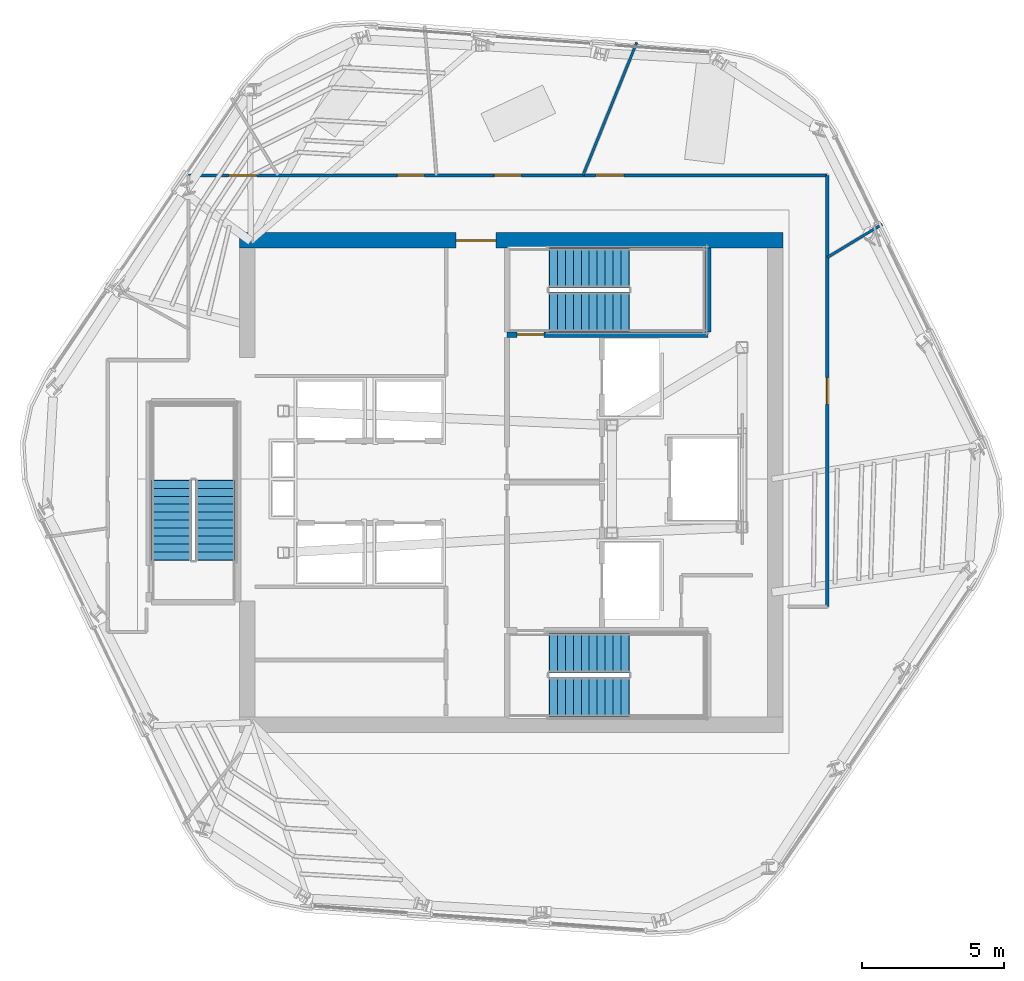
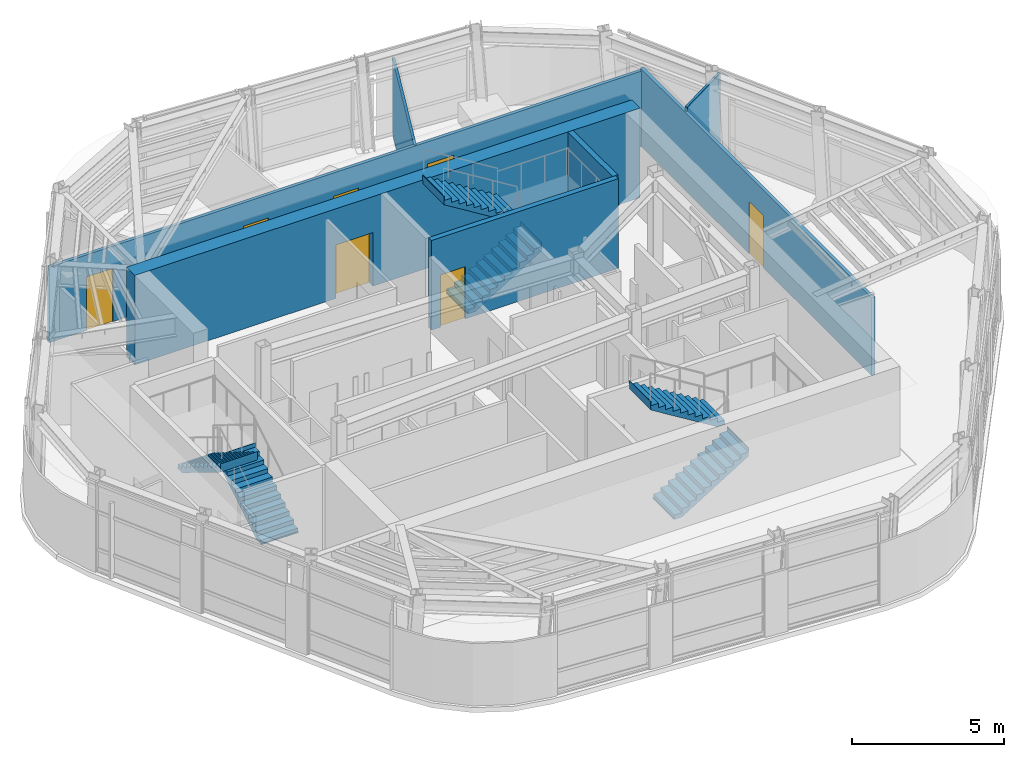
# One storey, part 7 of 11: 7 doors, 7 walls, 6 stair flights, 7 openings, 3 elements without a shape of their own.
"""IFC4 building model written with IfcOpenShell, lengths in metres."""

from ifc_helpers import new_model, si_unit, direction, frame, frame_2d, origin, place, context, subcontext, project, spatial, polyline, rectangle, outline, extrude, material, layer, layer_set, type_object, element, fill, aggregate, save


model = new_model("IFC4")

# Units and contexts
model_context = context("Model", 3, precision=1e-05, world=origin(), true_north=direction((0.0, 1.0)))
body_context = subcontext(model_context, "Body", "Model", "MODEL_VIEW")
ifc_project = project(units=[si_unit("LENGTHUNIT", "METRE"), si_unit("AREAUNIT", "SQUARE_METRE"), si_unit("VOLUMEUNIT", "CUBIC_METRE"), si_unit("PLANEANGLEUNIT", "RADIAN"), si_unit("MASSUNIT", "GRAM", prefix="KILO")], contexts=[model_context])

# Site, building, storey
site_placement = place(None, origin())
site = spatial("IfcSite", under=ifc_project, at=site_placement, CompositionType="ELEMENT")
building_placement = place(site_placement, origin())
building = spatial("IfcBuilding", under=site, at=building_placement, Name="Valkerne Bourse Tower", CompositionType="ELEMENT")
storey_placement = place(building_placement, frame((0.0, 0.0, 266.0)))
storey = spatial("IfcBuildingStorey", under=building, at=storey_placement, Name="L67", CompositionType="ELEMENT", Elevation=266.0)

# Wall, opening, door
ifc_material_1 = material(Name="Concrete C55/67", Category="concrete")
ifc_layer_1 = layer(ifc_material_1, 0.550048828125)
ifc_layer_set_1 = layer_set([ifc_layer_1], Name="Concrete C55/67")
wall_type_1 = type_object("IfcWallType", Name="W-CORE-550", PredefinedType="SHEAR", material=ifc_layer_set_1)
wall_1_placement = place(storey_placement, frame((37.199951171875, 35.425048828125, 0.0), z_axis=(0.0, 0.0, 1.0), x_axis=(1.0, 0.0, 0.0)))
wall_1 = element("IfcWall", 1, at=wall_1_placement, inside=storey, type_object=wall_type_1, Name="L67 Core Shear Wall NORTH", PredefinedType="SHEAR", context=body_context, shape_type="SweptSolid", body=[
    extrude(rectangle(XDim=19.199951171875, YDim=0.550048828125, at=frame_2d((9.60009765625, 0.0))), origin(), (0.0, 0.0, 1.0), 3.60009765625),
])
opening_1_placement = place(wall_1_placement, frame((7.64990234375, 0.0, 0.0)))
opening_1 = element("IfcOpeningElement", 2, at=opening_1_placement, cuts=wall_1, Name="Opening D-PL-1400", PredefinedType="OPENING", context=body_context, shape_type="SweptSolid", body=[
    extrude(rectangle(XDim=1.39990234375, YDim=2.14990234375, at=frame_2d((0.699951171875, 1.074951171875))), frame((0.0, 0.284912109375, 0.0), z_axis=(0.0, -1.0, 0.0), x_axis=(1.0, 0.0, 0.0)), (0.0, 0.0, 1.0), 0.570068359375),
])
ifc_material_2 = material(Name="Galvanised Painted Steel", Category="steel")
door_type_1 = type_object("IfcDoorType", Name="DR-PLT-1400", OperationType="DOUBLE_DOOR_SINGLE_SWING", PredefinedType="DOOR", material=ifc_material_2)
door_1_placement = place(opening_1_placement, origin())
door_1 = element("IfcDoor", 3, at=door_1_placement, inside=storey, type_object=door_type_1, Name="L67 North Passenger Lift Hall Fire Door", OperationType="DOUBLE_DOOR_SINGLE_SWING", OverallHeight=2.14990234375, OverallWidth=1.39990234375, PredefinedType="DOOR", context=body_context, shape_type="SweptSolid", body=[
    extrude(rectangle(XDim=1.39990234375, YDim=2.14990234375, at=frame_2d((0.699951171875, 1.074951171875))), frame((0.0, 0.02490234375, 0.0), z_axis=(0.0, -1.0, 0.0), x_axis=(1.0, 0.0, 0.0)), (0.0, 0.0, 1.0), 0.050048828125),
])
fill(opening_1, door_1)

# Wall, openings, doors
ifc_material_3 = material(Name="Gypsum Board Steel-Stud Partition", Category="steel")
ifc_layer_2 = layer(ifc_material_3, 0.117919921875)
ifc_layer_set_2 = layer_set([ifc_layer_2], Name="Gypsum Board Steel-Stud Partition")
wall_type_2 = type_object("IfcWallType", Name="W-CORR-140", PredefinedType="PARTITIONING", material=ifc_layer_set_2)
wall_2_placement = place(storey_placement, frame((35.39990234375, 37.719970703125, 0.0), z_axis=(0.0, 0.0, 1.0), x_axis=(1.0, 0.0, 0.0)))
wall_2 = element("IfcWall", 4, at=wall_2_placement, inside=storey, type_object=wall_type_2, Name="L67 Corridor Enclosure Wall", PredefinedType="PARTITIONING", context=body_context, shape_type="SweptSolid", body=[
    extrude(rectangle(XDim=22.550048828125, YDim=0.117919921875, at=frame_2d((11.27490234375, 0.0))), origin(), (0.0, 0.0, 1.0), 3.0361328125),
])
opening_2_placement = place(wall_2_placement, frame((10.800048828125, 0.0, 0.0)))
opening_2 = element("IfcOpeningElement", 5, at=opening_2_placement, cuts=wall_2, Name="Opening D-OF-950", PredefinedType="OPENING", context=body_context, shape_type="SweptSolid", body=[
    extrude(rectangle(XDim=0.949951171875, YDim=2.10009765625, at=frame_2d((0.47509765625, 1.050048828125))), frame((0.0, 0.06884765625, 0.0), z_axis=(0.0, -1.0, 0.0), x_axis=(1.0, 0.0, 0.0)), (0.0, 0.0, 1.0), 0.137939453125),
])
opening_3_placement = place(wall_2_placement, frame((7.3798828125, 0.0, 0.0)))
opening_3 = element("IfcOpeningElement", 6, at=opening_3_placement, cuts=wall_2, Name="Opening D-OF-950", PredefinedType="OPENING", context=body_context, shape_type="SweptSolid", body=[
    extrude(rectangle(XDim=0.949951171875, YDim=2.10009765625, at=frame_2d((0.47509765625, 1.050048828125))), frame((0.0, 0.06884765625, 0.0), z_axis=(0.0, -1.0, 0.0), x_axis=(1.0, 0.0, 0.0)), (0.0, 0.0, 1.0), 0.137939453125),
])
opening_4_placement = place(wall_2_placement, frame((14.375, 0.0, 0.0)))
opening_4 = element("IfcOpeningElement", 7, at=opening_4_placement, cuts=wall_2, Name="Opening D-MG-1000", PredefinedType="OPENING", context=body_context, shape_type="SweptSolid", body=[
    extrude(rectangle(XDim=1.0, YDim=2.14990234375, at=frame_2d((0.5, 1.074951171875))), frame((0.0, 0.06884765625, 0.0), z_axis=(0.0, -1.0, 0.0), x_axis=(1.0, 0.0, 0.0)), (0.0, 0.0, 1.0), 0.137939453125),
])
opening_5_placement = place(wall_2_placement, frame((1.4150390625, 0.0, 0.0)))
opening_5 = element("IfcOpeningElement", 8, at=opening_5_placement, cuts=wall_2, Name="Opening D-MG-1000", PredefinedType="OPENING", context=body_context, shape_type="SweptSolid", body=[
    extrude(rectangle(XDim=1.0, YDim=2.14990234375, at=frame_2d((0.5, 1.074951171875))), frame((0.0, 0.06884765625, 0.0), z_axis=(0.0, -1.0, 0.0), x_axis=(1.0, 0.0, 0.0)), (0.0, 0.0, 1.0), 0.137939453125),
])
ifc_material_4 = material(Name="Laminated Tempered Safety Glass", Category="glass")
door_type_2 = type_object("IfcDoorType", Name="DR-MTG-1000", OperationType="NOTDEFINED", PredefinedType="DOOR", material=ifc_material_4)
door_2_placement = place(opening_4_placement, origin())
door_2 = element("IfcDoor", 9, at=door_2_placement, inside=storey, type_object=door_type_2, Name="L67 L67 Client Strategy Conference Room 5 Door", OperationType="SINGLE_SWING_LEFT", OverallHeight=2.14990234375, OverallWidth=1.0, PredefinedType="DOOR", context=body_context, shape_type="SweptSolid", body=[
    extrude(rectangle(XDim=1.0, YDim=2.14990234375, at=frame_2d((0.5, 1.074951171875))), frame((0.0, 0.02490234375, 0.0), z_axis=(0.0, -1.0, 0.0), x_axis=(1.0, 0.0, 0.0)), (0.0, 0.0, 1.0), 0.050048828125),
])
fill(opening_4, door_2)
door_3_placement = place(opening_5_placement, origin())
door_3 = element("IfcDoor", 10, at=door_3_placement, inside=storey, type_object=door_type_2, Name="L67 L67 Client Strategy Conference Room 6 Door", OperationType="SINGLE_SWING_LEFT", OverallHeight=2.14990234375, OverallWidth=1.0, PredefinedType="DOOR", context=body_context, shape_type="SweptSolid", body=[
    extrude(rectangle(XDim=1.0, YDim=2.14990234375, at=frame_2d((0.5, 1.074951171875))), frame((0.0, 0.02490234375, 0.0), z_axis=(0.0, -1.0, 0.0), x_axis=(1.0, 0.0, 0.0)), (0.0, 0.0, 1.0), 0.050048828125),
])
fill(opening_5, door_3)
ifc_material_5 = material(Name="Architectural White Oak Timber", Category="wood")
door_type_3 = type_object("IfcDoorType", Name="DR-OFF-950", OperationType="NOTDEFINED", PredefinedType="DOOR", material=ifc_material_5)
door_4_placement = place(opening_2_placement, origin())
door_4 = element("IfcDoor", 11, at=door_4_placement, inside=storey, type_object=door_type_3, Name="L67 L67 Exchange Security Control Room 3 Door", OperationType="SINGLE_SWING_RIGHT", OverallHeight=2.10009765625, OverallWidth=0.949951171875, PredefinedType="DOOR", context=body_context, shape_type="SweptSolid", body=[
    extrude(rectangle(XDim=0.949951171875, YDim=2.10009765625, at=frame_2d((0.47509765625, 1.050048828125))), frame((0.0, 0.02490234375, 0.0), z_axis=(0.0, -1.0, 0.0), x_axis=(1.0, 0.0, 0.0)), (0.0, 0.0, 1.0), 0.050048828125),
])
fill(opening_2, door_4)
door_5_placement = place(opening_3_placement, origin())
door_5 = element("IfcDoor", 12, at=door_5_placement, inside=storey, type_object=door_type_3, Name="L67 L67 Exchange Security Control Room 4 Door", OperationType="SINGLE_SWING_LEFT", OverallHeight=2.10009765625, OverallWidth=0.949951171875, PredefinedType="DOOR", context=body_context, shape_type="SweptSolid", body=[
    extrude(rectangle(XDim=0.949951171875, YDim=2.10009765625, at=frame_2d((0.47509765625, 1.050048828125))), frame((0.0, 0.02490234375, 0.0), z_axis=(0.0, -1.0, 0.0), x_axis=(1.0, 0.0, 0.0)), (0.0, 0.0, 1.0), 0.050048828125),
])
fill(opening_3, door_5)

# Wall, opening, door
wall_3_placement = place(storey_placement, frame((57.949951171875, 37.719970703125, 0.0), z_axis=(0.0, 0.0, 1.0), x_axis=(0.0, -1.0, 0.0)))
wall_3 = element("IfcWall", 13, at=wall_3_placement, inside=storey, type_object=wall_type_2, Name="L67 Corridor Enclosure Wall", PredefinedType="PARTITIONING", context=body_context, shape_type="SweptSolid", body=[
    extrude(rectangle(XDim=15.219970703125, YDim=0.117919921875, at=frame_2d((7.60986328125, 0.0))), origin(), (0.0, 0.0, 1.0), 3.127685546875),
])
opening_6_placement = place(wall_3_placement, frame((7.135009765625, 0.0, 0.0)))
opening_6 = element("IfcOpeningElement", 14, at=opening_6_placement, cuts=wall_3, Name="Opening D-OF-950", PredefinedType="OPENING", context=body_context, shape_type="SweptSolid", body=[
    extrude(rectangle(XDim=0.949951171875, YDim=2.10009765625, at=frame_2d((0.47509765625, 1.050048828125))), frame((0.0, 0.06884765625, 0.0), z_axis=(0.0, -1.0, 0.0), x_axis=(1.0, 0.0, 0.0)), (0.0, 0.0, 1.0), 0.137939453125),
])
door_6_placement = place(opening_6_placement, origin())
door_6 = element("IfcDoor", 15, at=door_6_placement, inside=storey, type_object=door_type_3, Name="L67 L67 Occupational Wellness Clinic 7 Door", OperationType="SINGLE_SWING_LEFT", OverallHeight=2.10009765625, OverallWidth=0.949951171875, PredefinedType="DOOR", context=body_context, shape_type="SweptSolid", body=[
    extrude(rectangle(XDim=0.949951171875, YDim=2.10009765625, at=frame_2d((0.47509765625, 1.050048828125))), frame((0.0, 0.02490234375, 0.0), z_axis=(0.0, -1.0, 0.0), x_axis=(1.0, 0.0, 0.0)), (0.0, 0.0, 1.0), 0.050048828125),
])
fill(opening_6, door_6)

# Walls
ifc_layer_3 = layer(ifc_material_3, 0.092041015625)
ifc_layer_set_3 = layer_set([ifc_layer_3], Name="Gypsum Board Steel-Stud Partition")
wall_type_3 = type_object("IfcWallType", Name="W-PART-115", PredefinedType="PARTITIONING", material=ifc_layer_set_3)
wall_4_placement = place(storey_placement, frame((49.333251953125, 37.72509765625, 0.0), z_axis=(0.0, 0.0, 1.0), x_axis=(0.374598627091, 0.927187073131, 0.0)))
element("IfcWall", 16, at=wall_4_placement, inside=storey, type_object=wall_type_3, Name="L67 Suite Partition P01", PredefinedType="PARTITIONING", context=body_context, shape_type="SweptSolid", body=[
    extrude(rectangle(XDim=5.0615234375, YDim=0.092041015625, at=frame_2d((2.53076171875, 0.0))), origin(), (0.0, 0.0, 1.0), 3.0361328125),
])
wall_5_placement = place(storey_placement, frame((57.955078125, 34.82421875, 0.0), z_axis=(0.0, 0.0, 1.0), x_axis=(0.85597715298, 0.517013649313, 0.0)))
element("IfcWall", 17, at=wall_5_placement, inside=storey, type_object=wall_type_3, Name="L67 Suite Partition P07", PredefinedType="PARTITIONING", context=body_context, shape_type="SweptSolid", body=[
    extrude(rectangle(XDim=2.26513671875, YDim=0.092041015625, at=frame_2d((1.132568359375, 0.0))), origin(), (0.0, 0.0, 1.0), 3.300048828125),
])

# Wall, opening, door
ifc_material_6 = material(Name="Concrete C40/50", Category="concrete")
ifc_layer_4 = layer(ifc_material_6, 0.199951171875)
ifc_layer_set_4 = layer_set([ifc_layer_4], Name="Concrete C40/50")
wall_type_4 = type_object("IfcWallType", Name="W-SHF-200", PredefinedType="SHEAR", material=ifc_layer_set_4)
wall_6_placement = place(storey_placement, frame((46.64990234375, 32.10009765625, 0.0), z_axis=(0.0, 0.0, 1.0), x_axis=(1.0, 0.0, 0.0)))
wall_6 = element("IfcWall", 18, at=wall_6_placement, inside=storey, type_object=wall_type_4, Name="L67 Exit Stair ST-2 Structural Shaft Wall South", PredefinedType="SHEAR", context=body_context, shape_type="SweptSolid", body=[
    extrude(rectangle(XDim=7.10009765625, YDim=0.199951171875, at=frame_2d((3.550048828125, 0.0))), origin(), (0.0, 0.0, 1.0), 3.60009765625),
])
opening_7_placement = place(wall_6_placement, frame((0.35009765625, 0.0, 0.0)))
opening_7 = element("IfcOpeningElement", 19, at=opening_7_placement, cuts=wall_6, Name="Opening D-ST-950", PredefinedType="OPENING", context=body_context, shape_type="SweptSolid", body=[
    extrude(rectangle(XDim=0.949951171875, YDim=2.10009765625, at=frame_2d((0.47509765625, 1.050048828125))), frame((0.0, 0.10986328125, 0.0), z_axis=(0.0, -1.0, 0.0), x_axis=(1.0, 0.0, 0.0)), (0.0, 0.0, 1.0), 0.219970703125),
])
door_type_4 = type_object("IfcDoorType", Name="DR-STAIR-950", OperationType="NOTDEFINED", PredefinedType="DOOR", material=ifc_material_2)
door_7_placement = place(opening_7_placement, origin())
door_7 = element("IfcDoor", 20, at=door_7_placement, inside=storey, type_object=door_type_4, Name="L67 Exit Stair ST-2 Door", OperationType="SINGLE_SWING_LEFT", OverallHeight=2.10009765625, OverallWidth=0.949951171875, PredefinedType="DOOR", context=body_context, shape_type="SweptSolid", body=[
    extrude(rectangle(XDim=0.949951171875, YDim=2.10009765625, at=frame_2d((0.47509765625, 1.050048828125))), frame((0.0, 0.02490234375, 0.0), z_axis=(0.0, -1.0, 0.0), x_axis=(1.0, 0.0, 0.0)), (0.0, 0.0, 1.0), 0.050048828125),
])
fill(opening_7, door_7)

# Wall
wall_7_placement = place(storey_placement, frame((53.75, 32.199951171875, 0.0), z_axis=(0.0, 0.0, 1.0), x_axis=(0.0, 1.0, 0.0)))
element("IfcWall", 21, at=wall_7_placement, inside=storey, type_object=wall_type_4, Name="L67 Exit Stair ST-2 Structural Shaft Wall East", PredefinedType="SHEAR", context=body_context, shape_type="SweptSolid", body=[
    extrude(rectangle(XDim=2.949951171875, YDim=0.199951171875, at=frame_2d((1.47509765625, 0.0))), origin(), (0.0, 0.0, 1.0), 3.60009765625),
])

# Stair, stair flights
stair_type = type_object("IfcStairType", Name="ST-CORE-1400", PredefinedType="HALF_TURN_STAIR", material=ifc_material_6)
stair_1_placement = place(storey_placement, origin())
stair_1 = element("IfcStair", 22, at=stair_1_placement, inside=storey, type_object=stair_type, Name="L67 ST-1", PredefinedType="HALF_TURN_STAIR")
stair_flight_type = type_object("IfcStairFlightType", Name="STF-CORE-1400", PredefinedType="STRAIGHT", material=ifc_material_6)
stair_flight_1_placement = place(storey_placement, frame((48.14990234375, 19.300048828125, 0.0), z_axis=(0.0, 0.0, 1.0), x_axis=(1.0, 0.0, 0.0)))
stair_flight_1 = element("IfcStairFlight", 23, at=stair_flight_1_placement, type_object=stair_flight_type, Name="ST-1 flight 1", NumberOfRisers=11, NumberOfTreads=10, PredefinedType="STRAIGHT", RiserHeight=0.172727273, TreadLength=0.28, context=body_context, shape_type="SweptSolid", body=[
    extrude(outline(polyline([(-0.02001953125, 0.0), (-0.02001953125, 0.044921875), (0.0, 0.044921875), (0.0, 0.172607421875), (0.280029296875, 0.172607421875), (0.280029296875, 0.345458984375), (0.56005859375, 0.345458984375), (0.56005859375, 0.51806640625), (0.840087890625, 0.51806640625), (0.840087890625, 0.69091796875), (1.1201171875, 0.69091796875), (1.1201171875, 0.863525390625), (1.39990234375, 0.863525390625), (1.39990234375, 1.036376953125), (1.679931640625, 1.036376953125), (1.679931640625, 1.208984375), (1.9599609375, 1.208984375), (1.9599609375, 1.3818359375), (2.239990234375, 1.3818359375), (2.239990234375, 1.554443359375), (2.52001953125, 1.554443359375), (2.52001953125, 1.727294921875), (2.800048828125, 1.727294921875), (2.800048828125, 1.89990234375), (2.820068359375, 1.89990234375), (2.820068359375, 1.780029296875), (2.800048828125, 1.551025390625), (0.285400390625, 0.0), (-0.02001953125, 0.0)])), frame((0.0, 0.699951171875, 0.0), z_axis=(0.0, -1.0, 0.0), x_axis=(1.0, 0.0, 0.0)), (0.0, 0.0, 1.0), 1.39990234375),
])
stair_flight_2_placement = place(storey_placement, frame((50.949951171875, 20.85009765625, 1.89990234375), z_axis=(0.0, 0.0, 1.0), x_axis=(-1.0, 0.0, 0.0)))
stair_flight_2 = element("IfcStairFlight", 24, at=stair_flight_2_placement, type_object=stair_flight_type, Name="ST-1 flight 2", NumberOfRisers=11, NumberOfTreads=10, PredefinedType="STRAIGHT", RiserHeight=0.172727273, TreadLength=0.28, context=body_context, shape_type="SweptSolid", body=[
    extrude(outline(polyline([(-0.02001953125, 0.0), (-0.02001953125, 0.044921875), (0.0, 0.044921875), (0.0, 0.172607421875), (0.280029296875, 0.172607421875), (0.280029296875, 0.345458984375), (0.56005859375, 0.345458984375), (0.56005859375, 0.51806640625), (0.840087890625, 0.51806640625), (0.840087890625, 0.69091796875), (1.1201171875, 0.69091796875), (1.1201171875, 0.863525390625), (1.39990234375, 0.863525390625), (1.39990234375, 1.036376953125), (1.679931640625, 1.036376953125), (1.679931640625, 1.208984375), (1.9599609375, 1.208984375), (1.9599609375, 1.3818359375), (2.239990234375, 1.3818359375), (2.239990234375, 1.554443359375), (2.52001953125, 1.554443359375), (2.52001953125, 1.727294921875), (2.800048828125, 1.727294921875), (2.800048828125, 1.89990234375), (2.820068359375, 1.89990234375), (2.820068359375, 1.780029296875), (2.800048828125, 1.551025390625), (0.285400390625, 0.0), (-0.02001953125, 0.0)])), frame((0.0, 0.699951171875, 0.0), z_axis=(0.0, -1.0, 0.0), x_axis=(1.0, 0.0, 0.0)), (0.0, 0.0, 1.0), 1.39990234375),
])
aggregate(stair_1, [stair_flight_1, stair_flight_2])

stair_2_placement = place(storey_placement, origin())
stair_2 = element("IfcStair", 25, at=stair_2_placement, inside=storey, type_object=stair_type, Name="L67 ST-2", PredefinedType="HALF_TURN_STAIR")
stair_flight_3_placement = place(storey_placement, frame((48.14990234375, 32.89990234375, 0.0), z_axis=(0.0, 0.0, 1.0), x_axis=(1.0, 0.0, 0.0)))
stair_flight_3 = element("IfcStairFlight", 26, at=stair_flight_3_placement, type_object=stair_flight_type, Name="ST-2 flight 1", NumberOfRisers=11, NumberOfTreads=10, PredefinedType="STRAIGHT", RiserHeight=0.172727273, TreadLength=0.28, context=body_context, shape_type="SweptSolid", body=[
    extrude(outline(polyline([(-0.02001953125, 0.0), (-0.02001953125, 0.044921875), (0.0, 0.044921875), (0.0, 0.172607421875), (0.280029296875, 0.172607421875), (0.280029296875, 0.345458984375), (0.56005859375, 0.345458984375), (0.56005859375, 0.51806640625), (0.840087890625, 0.51806640625), (0.840087890625, 0.69091796875), (1.1201171875, 0.69091796875), (1.1201171875, 0.863525390625), (1.39990234375, 0.863525390625), (1.39990234375, 1.036376953125), (1.679931640625, 1.036376953125), (1.679931640625, 1.208984375), (1.9599609375, 1.208984375), (1.9599609375, 1.3818359375), (2.239990234375, 1.3818359375), (2.239990234375, 1.554443359375), (2.52001953125, 1.554443359375), (2.52001953125, 1.727294921875), (2.800048828125, 1.727294921875), (2.800048828125, 1.89990234375), (2.820068359375, 1.89990234375), (2.820068359375, 1.780029296875), (2.800048828125, 1.551025390625), (0.285400390625, 0.0), (-0.02001953125, 0.0)])), frame((0.0, 0.699951171875, 0.0), z_axis=(0.0, -1.0, 0.0), x_axis=(1.0, 0.0, 0.0)), (0.0, 0.0, 1.0), 1.39990234375),
])
stair_flight_4_placement = place(storey_placement, frame((50.949951171875, 34.449951171875, 1.89990234375), z_axis=(0.0, 0.0, 1.0), x_axis=(-1.0, 0.0, 0.0)))
stair_flight_4 = element("IfcStairFlight", 27, at=stair_flight_4_placement, type_object=stair_flight_type, Name="ST-2 flight 2", NumberOfRisers=11, NumberOfTreads=10, PredefinedType="STRAIGHT", RiserHeight=0.172727273, TreadLength=0.28, context=body_context, shape_type="SweptSolid", body=[
    extrude(outline(polyline([(-0.02001953125, 0.0), (-0.02001953125, 0.044921875), (0.0, 0.044921875), (0.0, 0.172607421875), (0.280029296875, 0.172607421875), (0.280029296875, 0.345458984375), (0.56005859375, 0.345458984375), (0.56005859375, 0.51806640625), (0.840087890625, 0.51806640625), (0.840087890625, 0.69091796875), (1.1201171875, 0.69091796875), (1.1201171875, 0.863525390625), (1.39990234375, 0.863525390625), (1.39990234375, 1.036376953125), (1.679931640625, 1.036376953125), (1.679931640625, 1.208984375), (1.9599609375, 1.208984375), (1.9599609375, 1.3818359375), (2.239990234375, 1.3818359375), (2.239990234375, 1.554443359375), (2.52001953125, 1.554443359375), (2.52001953125, 1.727294921875), (2.800048828125, 1.727294921875), (2.800048828125, 1.89990234375), (2.820068359375, 1.89990234375), (2.820068359375, 1.780029296875), (2.800048828125, 1.551025390625), (0.285400390625, 0.0), (-0.02001953125, 0.0)])), frame((0.0, 0.699951171875, 0.0), z_axis=(0.0, -1.0, 0.0), x_axis=(1.0, 0.0, 0.0)), (0.0, 0.0, 1.0), 1.39990234375),
])
aggregate(stair_2, [stair_flight_3, stair_flight_4])

stair_3_placement = place(storey_placement, origin())
stair_3 = element("IfcStair", 28, at=stair_3_placement, inside=storey, type_object=stair_type, Name="L67 ST-3", PredefinedType="HALF_TURN_STAIR")
stair_flight_5_placement = place(storey_placement, frame((36.35009765625, 24.14990234375, 0.0), z_axis=(0.0, 0.0, 1.0), x_axis=(0.0, 1.0, 0.0)))
stair_flight_5 = element("IfcStairFlight", 29, at=stair_flight_5_placement, type_object=stair_flight_type, Name="ST-3 flight 1", NumberOfRisers=11, NumberOfTreads=10, PredefinedType="STRAIGHT", RiserHeight=0.172727273, TreadLength=0.28, context=body_context, shape_type="SweptSolid", body=[
    extrude(outline(polyline([(-0.02001953125, 0.0), (-0.02001953125, 0.044921875), (0.0, 0.044921875), (0.0, 0.172607421875), (0.280029296875, 0.172607421875), (0.280029296875, 0.345458984375), (0.56005859375, 0.345458984375), (0.56005859375, 0.51806640625), (0.840087890625, 0.51806640625), (0.840087890625, 0.69091796875), (1.1201171875, 0.69091796875), (1.1201171875, 0.863525390625), (1.39990234375, 0.863525390625), (1.39990234375, 1.036376953125), (1.679931640625, 1.036376953125), (1.679931640625, 1.208984375), (1.9599609375, 1.208984375), (1.9599609375, 1.3818359375), (2.239990234375, 1.3818359375), (2.239990234375, 1.554443359375), (2.52001953125, 1.554443359375), (2.52001953125, 1.727294921875), (2.800048828125, 1.727294921875), (2.800048828125, 1.89990234375), (2.820068359375, 1.89990234375), (2.820068359375, 1.780029296875), (2.800048828125, 1.551025390625), (0.285400390625, 0.0), (-0.02001953125, 0.0)])), frame((0.0, 0.699951171875, 0.0), z_axis=(0.0, -1.0, 0.0), x_axis=(1.0, 0.0, 0.0)), (0.0, 0.0, 1.0), 1.39990234375),
])
stair_flight_6_placement = place(storey_placement, frame((34.800048828125, 26.949951171875, 1.89990234375), z_axis=(0.0, 0.0, 1.0), x_axis=(0.0, -1.0, 0.0)))
stair_flight_6 = element("IfcStairFlight", 30, at=stair_flight_6_placement, type_object=stair_flight_type, Name="ST-3 flight 2", NumberOfRisers=11, NumberOfTreads=10, PredefinedType="STRAIGHT", RiserHeight=0.172727273, TreadLength=0.28, context=body_context, shape_type="SweptSolid", body=[
    extrude(outline(polyline([(-0.02001953125, 0.0), (-0.02001953125, 0.044921875), (0.0, 0.044921875), (0.0, 0.172607421875), (0.280029296875, 0.172607421875), (0.280029296875, 0.345458984375), (0.56005859375, 0.345458984375), (0.56005859375, 0.51806640625), (0.840087890625, 0.51806640625), (0.840087890625, 0.69091796875), (1.1201171875, 0.69091796875), (1.1201171875, 0.863525390625), (1.39990234375, 0.863525390625), (1.39990234375, 1.036376953125), (1.679931640625, 1.036376953125), (1.679931640625, 1.208984375), (1.9599609375, 1.208984375), (1.9599609375, 1.3818359375), (2.239990234375, 1.3818359375), (2.239990234375, 1.554443359375), (2.52001953125, 1.554443359375), (2.52001953125, 1.727294921875), (2.800048828125, 1.727294921875), (2.800048828125, 1.89990234375), (2.820068359375, 1.89990234375), (2.820068359375, 1.780029296875), (2.800048828125, 1.551025390625), (0.285400390625, 0.0), (-0.02001953125, 0.0)])), frame((0.0, 0.699951171875, 0.0), z_axis=(0.0, -1.0, 0.0), x_axis=(1.0, 0.0, 0.0)), (0.0, 0.0, 1.0), 1.39990234375),
])
aggregate(stair_3, [stair_flight_5, stair_flight_6])

save(model, "model.ifc")
